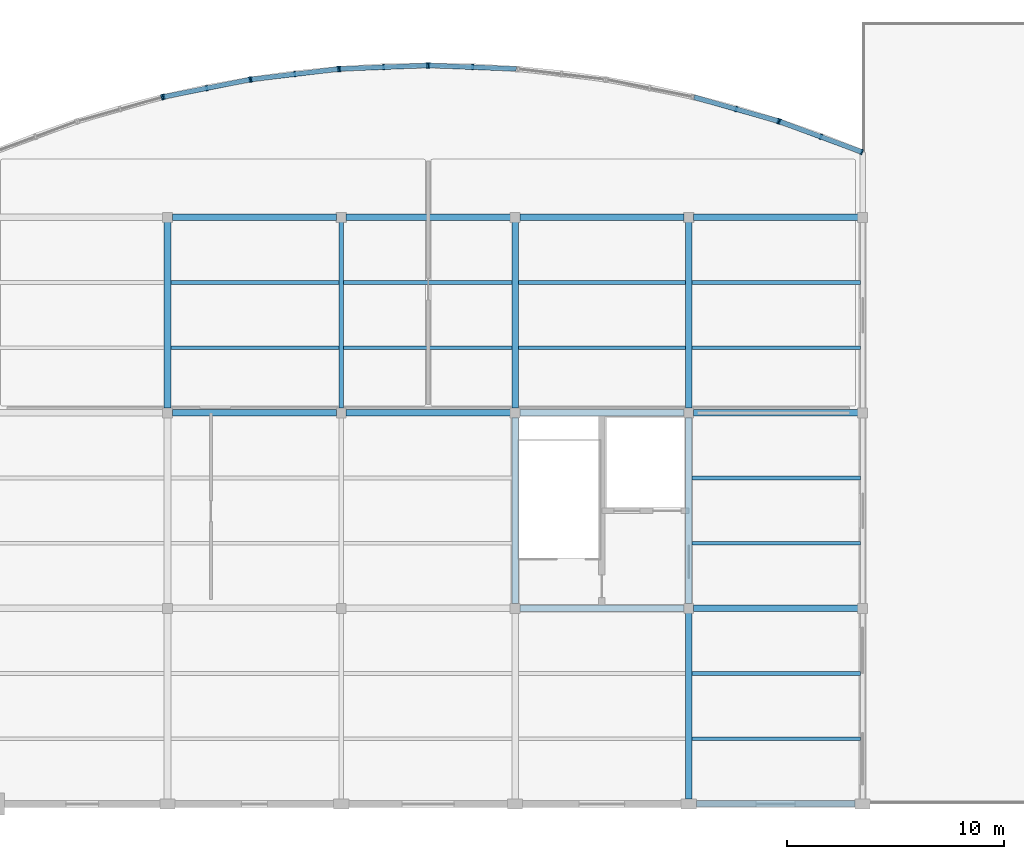
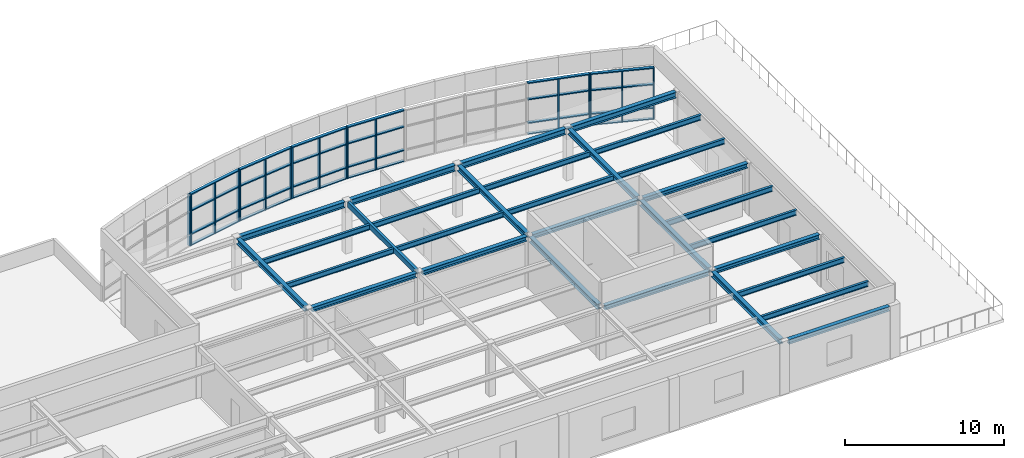
# One storey, part 3 of 9: 41 members, 30 beams, 7 elements without a shape of their own.
"""IFC4 building model written with IfcOpenShell, lengths in metres."""

import ifcopenshell
import ifcopenshell.guid

model = None  # the IFC model being written
_history = None  # IfcOwnerHistory: only IFC2X3 demands one
_inside = {}  # id of a spatial element -> (the spatial element, [elements in it])
_under = {}  # id of a project, library or spatial element -> (it, [spatial elements below it])
_declared = {}  # id of a project -> (the project, [libraries it declares])
_typed = {}  # id of a type object -> (the type object, [elements of that type])
_made_of = {}  # id of a material, layer set ... -> (it, [elements and type objects made of it])


def new_model(schema):
    """Start an empty IFC model of exactly this schema.

    Asked for "IFC4X3", IfcOpenShell would pick the latest addendum, in which some entities
    have other attributes; the version numbers below select the first issue.
    IFC2X3 requires an IfcOwnerHistory on every rooted entity: one is made here for all.
    """
    global model, _history
    if schema == "IFC4X3":
        model = ifcopenshell.file(schema_version=(4, 3, 0, 0))
    else:
        model = ifcopenshell.file(schema=schema)
    _inside.clear()
    _under.clear()
    _declared.clear()
    _typed.clear()
    _made_of.clear()
    _history = None
    if model.schema == "IFC2X3":
        org = make("IfcOrganization", Name="unknown")
        user = make(
            "IfcPersonAndOrganization",
            ThePerson=make("IfcPerson", FamilyName="unknown"),
            TheOrganization=org,
        )
        app = make(
            "IfcApplication",
            ApplicationDeveloper=org,
            Version="unknown",
            ApplicationFullName="unknown",
            ApplicationIdentifier="unknown",
        )
        _history = make(
            "IfcOwnerHistory",
            OwningUser=user,
            OwningApplication=app,
            ChangeAction="ADDED",
            CreationDate=0,
        )
    return model


def make(cls, **values):
    """One entity of the class cls with the attributes given. An attribute that is None is left unset."""
    return model.create_entity(
        cls, **{name: value for name, value in values.items() if value is not None}
    )


def rooted(cls, **values):
    """An entity with a GlobalId (a new one), such as an element, a storey or a relation."""
    return make(cls, GlobalId=ifcopenshell.guid.new(), OwnerHistory=_history, **values)


def si_unit(unit_type, name, prefix=None):
    """IfcSIUnit, for example si_unit("LENGTHUNIT", "METRE", prefix="MILLI")."""
    return make("IfcSIUnit", UnitType=unit_type, Prefix=prefix, Name=name)


def assignment(units):
    """IfcUnitAssignment: the units of a project."""
    return None if units is None else make("IfcUnitAssignment", Units=units)


def point(xyz):
    """IfcCartesianPoint."""
    return None if xyz is None else make("IfcCartesianPoint", Coordinates=xyz)


def direction(xyz):
    """IfcDirection."""
    return None if xyz is None else make("IfcDirection", DirectionRatios=xyz)


def frame(location, z_axis=None, x_axis=None):
    """IfcAxis2Placement3D, a coordinate frame: its origin and axes. An axis left out is left unset."""
    return make(
        "IfcAxis2Placement3D",
        Location=point(location),
        Axis=direction(z_axis),
        RefDirection=direction(x_axis),
    )


def frame_2d(location, x_axis=None):
    """IfcAxis2Placement2D, a coordinate frame in the plane: its origin and x axis."""
    return make(
        "IfcAxis2Placement2D", Location=point(location), RefDirection=direction(x_axis)
    )


def origin():
    """The frame at (0, 0, 0) with its axes left unset."""
    return frame((0.0, 0.0, 0.0))


def origin_2d():
    """The frame at (0, 0) in the plane with its x axis left unset."""
    return frame_2d((0.0, 0.0))


def place(relative_to, where):
    """IfcLocalPlacement: puts the frame where relative to a parent placement (None: the world)."""
    return make(
        "IfcLocalPlacement", PlacementRelTo=relative_to, RelativePlacement=where
    )


def context(
    kind, dimensions, precision=None, world=None, true_north=None, identifier=None
):
    """IfcGeometricRepresentationContext, for example the 3D "Model" context."""
    return make(
        "IfcGeometricRepresentationContext",
        ContextIdentifier=identifier,
        ContextType=kind,
        CoordinateSpaceDimension=dimensions,
        Precision=precision,
        WorldCoordinateSystem=world,
        TrueNorth=true_north,
    )


def subcontext(parent, identifier, kind, view, scale=None):
    """IfcGeometricRepresentationSubContext, for example "Body" below "Model"."""
    return make(
        "IfcGeometricRepresentationSubContext",
        ContextIdentifier=identifier,
        ContextType=kind,
        ParentContext=parent,
        TargetScale=scale,
        TargetView=view,
    )


def project(units=None, contexts=None):
    """IfcProject with its units and contexts."""
    return rooted(
        "IfcProject",
        Name="project",
        RepresentationContexts=contexts,
        UnitsInContext=assignment(units),
    )


def spatial(cls, under=None, at=None, **own):
    """A site, building, storey or space (cls), placed at a placement, below another one or the project."""
    s = rooted(cls, ObjectPlacement=at, **own)
    if under is not None:
        _under.setdefault(under.id(), (under, []))[1].append(s)
    return s


def profile(cls, at=None, kind="AREA", **sizes):
    """A parametric profile (cls). Its sizes go by their IFC names, for example OverallWidth=200.0."""
    return make(cls, ProfileType=kind, Position=at, **sizes)


def rectangle(**sizes):
    """IfcRectangleProfileDef."""
    return profile("IfcRectangleProfileDef", **sizes)


def hollow_rectangle(**sizes):
    """IfcRectangleHollowProfileDef."""
    return profile("IfcRectangleHollowProfileDef", **sizes)


def i_section(**sizes):
    """IfcIShapeProfileDef."""
    return profile("IfcIShapeProfileDef", **sizes)


def extrude(swept, where, along, depth):
    """IfcExtrudedAreaSolid: the profile swept, set in the frame where, extruded along a direction by depth."""
    return make(
        "IfcExtrudedAreaSolid",
        SweptArea=swept,
        Position=where,
        ExtrudedDirection=direction(along),
        Depth=depth,
    )


def shape(context_of_items, identifier, shape_type, items):
    """IfcShapeRepresentation: the items that make up one representation, for example the "Body"."""
    return make(
        "IfcShapeRepresentation",
        ContextOfItems=context_of_items,
        RepresentationIdentifier=identifier,
        RepresentationType=shape_type,
        Items=items,
    )


def material(Name=None, Category=None):
    """IfcMaterial."""
    return make("IfcMaterial", Name=Name, Category=Category)


def layer(
    of_material, thickness, ventilated=None, Name=None, Category=None, Priority=None
):
    """IfcMaterialLayer: one layer of a wall or slab, of a material (None: an air gap)."""
    return make(
        "IfcMaterialLayer",
        Material=of_material,
        LayerThickness=thickness,
        IsVentilated=ventilated,
        Name=Name,
        Category=Category,
        Priority=Priority,
    )


def layer_set(layers, Name=None):
    """IfcMaterialLayerSet."""
    return make("IfcMaterialLayerSet", MaterialLayers=layers, LayerSetName=Name)


def material_profile(
    of_material, cross_section, Name=None, Category=None, Priority=None
):
    """IfcMaterialProfile: a cross section and its material."""
    return make(
        "IfcMaterialProfile",
        Name=Name,
        Material=of_material,
        Profile=cross_section,
        Priority=Priority,
        Category=Category,
    )


def profile_set(profiles, Name=None, composite=None):
    """IfcMaterialProfileSet."""
    return make(
        "IfcMaterialProfileSet",
        Name=Name,
        MaterialProfiles=profiles,
        CompositeProfile=composite,
    )


def made_of(thing, what):
    """Note that an element or type object is made of a material, layer set ...; save() writes the relation."""
    if what is not None:
        _made_of.setdefault(what.id(), (what, []))[1].append(thing)
    return thing


def type_object(cls, material=None, **own):
    """A type object (cls), such as IfcWallType, which elements share."""
    return made_of(rooted(cls, **own), material)


def element(
    cls,
    number,
    at=None,
    inside=None,
    cuts=None,
    type_object=None,
    material=None,
    context=None,
    identifier="Body",
    shape_type=None,
    held_by="IfcProductDefinitionShape",
    body=None,
    shapes=None,
    **own,
):
    """One element of the class cls, such as IfcWall. Its Tag is "e" and its number.

    at: its placement. inside: the storey or other place that contains it. cuts: it is an
    opening in that element (IfcRelVoidsElement). A single representation is given by context,
    identifier, shape_type and body (its items); several are given by shapes. held_by: the class
    of the entity that holds the representations. save() writes the other relations.
    """
    e = rooted(cls, Tag="e%d" % number, ObjectPlacement=at, **own)
    if body is not None:
        shapes = [shape(context, identifier, shape_type, body)]
    if shapes is not None:
        e.Representation = make(held_by, Representations=shapes)
    if inside is not None:
        _inside.setdefault(inside.id(), (inside, []))[1].append(e)
    if cuts is not None:
        rooted(
            "IfcRelVoidsElement", RelatingBuildingElement=cuts, RelatedOpeningElement=e
        )
    if type_object is not None:
        _typed.setdefault(type_object.id(), (type_object, []))[1].append(e)
    return made_of(e, material)


def aggregate(whole, parts):
    """IfcRelAggregates: a whole, such as a stair, and the parts it consists of."""
    return rooted("IfcRelAggregates", RelatingObject=whole, RelatedObjects=parts)


def save(model, path):
    """Write the relations noted so far, then the file.

    IfcRelAggregates (storeys below a building ...), IfcRelContainedInSpatialStructure (elements
    in a storey), IfcRelDefinesByType, IfcRelAssociatesMaterial and IfcRelDeclares: one each for
    every whole, place, type object, material and project.
    """
    for whole, parts in _under.values():
        aggregate(whole, parts)
    for where, things in _inside.values():
        rooted(
            "IfcRelContainedInSpatialStructure",
            RelatedElements=things,
            RelatingStructure=where,
        )
    for kind, things in _typed.values():
        rooted("IfcRelDefinesByType", RelatedObjects=things, RelatingType=kind)
    for what, things in _made_of.values():
        rooted("IfcRelAssociatesMaterial", RelatedObjects=things, RelatingMaterial=what)
    for by, libraries in _declared.values():
        rooted("IfcRelDeclares", RelatingContext=by, RelatedDefinitions=libraries)
    model.write(path)


model = new_model("IFC4")

# Units and contexts
model_context = context("Model", 3, precision=1e-05, world=origin(), true_north=direction((0.0, 1.0)))
body_context = subcontext(model_context, "Body", "Model", "MODEL_VIEW")
ifc_project = project(units=[si_unit("LENGTHUNIT", "METRE"), si_unit("AREAUNIT", "SQUARE_METRE"), si_unit("VOLUMEUNIT", "CUBIC_METRE"), si_unit("PLANEANGLEUNIT", "RADIAN"), si_unit("MASSUNIT", "GRAM", prefix="KILO")], contexts=[model_context])

# Site, building, storey
site_placement = place(None, origin())
site = spatial("IfcSite", under=ifc_project, at=site_placement, CompositionType="ELEMENT")
building_placement = place(site_placement, origin())
building = spatial("IfcBuilding", under=site, at=building_placement, Name="Keelwater Ferry Terminal", CompositionType="ELEMENT")
storey_placement = place(building_placement, frame((0.0, 0.0, 23.699951171875)))
storey = spatial("IfcBuildingStorey", under=building, at=storey_placement, Name="L05", CompositionType="ELEMENT", Elevation=23.699951171875)

# Curtain wall, members
ifc_material_1 = material(Name="Thermally broken unitised aluminium and triple glass", Category="aluminium")
ifc_layer = layer(ifc_material_1, 0.179931640625)
ifc_layer_set = layer_set([ifc_layer], Name="Thermally broken unitised aluminium and triple glass")
curtain_wall_type = type_object("IfcCurtainWallType", Name="CW-24 Unitised Curtain Wall 4015x3900", PredefinedType="USERDEFINED", material=ifc_layer_set)
curtain_wall_1_placement = place(storey_placement, origin())
curtain_wall_1 = element("IfcCurtainWall", 1, at=curtain_wall_1_placement, inside=storey, type_object=curtain_wall_type, Name="Unitised Curtain Wall CW-L05-223", ObjectType="UNITISED CURTAIN WALL", PredefinedType="USERDEFINED")
ifc_material_2 = material(Name="Aluminium mullion", Category="aluminium")
ifc_material_profile_1 = material_profile(ifc_material_2, rectangle(XDim=0.080078125, YDim=0.25, at=origin_2d()), Name="CWM-04")
ifc_profile_set_1 = profile_set([ifc_material_profile_1], Name="Aluminium mullion")
member_type_1 = type_object("IfcMemberType", Name="CWM-04 Curtain Mullion 80x250", PredefinedType="MULLION", material=ifc_profile_set_1)
member_1_placement = place(storey_placement, frame((171.9580078125, 120.01611328125, 0.0), z_axis=(0.0, 0.0, 1.0), x_axis=(-0.937592418253, 0.347736189136, 0.0)))
member_1 = element("IfcMember", 2, at=member_1_placement, type_object=member_type_1, Name="CW-L05-223 Mullion 1", PredefinedType="MULLION", context=body_context, shape_type="SweptSolid", body=[
    extrude(rectangle(XDim=0.080078125, YDim=0.25, at=origin_2d()), origin(), (0.0, 0.0, 1.0), 3.900146484375),
])
member_2_placement = place(storey_placement, frame((170.075927734375, 120.714111328125, 0.0), z_axis=(0.0, 0.0, 1.0), x_axis=(-0.937592418253, 0.347736189136, 0.0)))
member_2 = element("IfcMember", 3, at=member_2_placement, type_object=member_type_1, Name="CW-L05-223 Mullion 2", PredefinedType="MULLION", context=body_context, shape_type="SweptSolid", body=[
    extrude(rectangle(XDim=0.080078125, YDim=0.25, at=origin_2d()), origin(), (0.0, 0.0, 1.0), 3.900146484375),
])
member_3_placement = place(storey_placement, frame((168.194091796875, 121.412109375, 0.0), z_axis=(0.0, 0.0, 1.0), x_axis=(-0.937592418253, 0.347736189136, 0.0)))
member_3 = element("IfcMember", 4, at=member_3_placement, type_object=member_type_1, Name="CW-L05-223 Mullion 3", PredefinedType="MULLION", context=body_context, shape_type="SweptSolid", body=[
    extrude(rectangle(XDim=0.080078125, YDim=0.25, at=origin_2d()), origin(), (0.0, 0.0, 1.0), 3.900146484375),
])

curtain_wall_2_placement = place(storey_placement, origin())
curtain_wall_2 = element("IfcCurtainWall", 5, at=curtain_wall_2_placement, inside=storey, type_object=curtain_wall_type, Name="Unitised Curtain Wall CW-L05-224", ObjectType="UNITISED CURTAIN WALL", PredefinedType="USERDEFINED")
member_4_placement = place(storey_placement, frame((168.10888671875, 121.43994140625, 0.0), z_axis=(0.0, 0.0, 1.0), x_axis=(-0.962029778706, 0.272944508797, 0.0)))
member_4 = element("IfcMember", 6, at=member_4_placement, type_object=member_type_1, Name="CW-L05-224 Mullion 1", PredefinedType="MULLION", context=body_context, shape_type="SweptSolid", body=[
    extrude(rectangle(XDim=0.080078125, YDim=0.25, at=origin_2d()), origin(), (0.0, 0.0, 1.0), 3.900146484375),
])
member_5_placement = place(storey_placement, frame((166.177490234375, 121.988037109375, 0.0), z_axis=(0.0, 0.0, 1.0), x_axis=(-0.962029778706, 0.272944508797, 0.0)))
member_5 = element("IfcMember", 7, at=member_5_placement, type_object=member_type_1, Name="CW-L05-224 Mullion 2", PredefinedType="MULLION", context=body_context, shape_type="SweptSolid", body=[
    extrude(rectangle(XDim=0.080078125, YDim=0.25, at=origin_2d()), origin(), (0.0, 0.0, 1.0), 3.900146484375),
])

curtain_wall_3_placement = place(storey_placement, origin())
curtain_wall_3 = element("IfcCurtainWall", 8, at=curtain_wall_3_placement, inside=storey, type_object=curtain_wall_type, Name="Unitised Curtain Wall CW-L05-227", ObjectType="UNITISED CURTAIN WALL", PredefinedType="USERDEFINED")
member_6_placement = place(storey_placement, frame((154.051025390625, 123.9189453125, 0.0), z_axis=(0.0, 0.0, 1.0), x_axis=(-0.999225435626, 0.039351350652, 0.0)))
member_6 = element("IfcMember", 9, at=member_6_placement, type_object=member_type_1, Name="CW-L05-227 Mullion 2", PredefinedType="MULLION", context=body_context, shape_type="SweptSolid", body=[
    extrude(rectangle(XDim=0.080078125, YDim=0.25, at=origin_2d()), origin(), (0.0, 0.0, 1.0), 3.900146484375),
])
member_7_placement = place(storey_placement, frame((152.044921875, 123.998046875, 0.0), z_axis=(0.0, 0.0, 1.0), x_axis=(-0.999225435626, 0.039351350652, 0.0)))
member_7 = element("IfcMember", 10, at=member_7_placement, type_object=member_type_1, Name="CW-L05-227 Mullion 3", PredefinedType="MULLION", context=body_context, shape_type="SweptSolid", body=[
    extrude(rectangle(XDim=0.080078125, YDim=0.25, at=origin_2d()), origin(), (0.0, 0.0, 1.0), 3.900146484375),
])

curtain_wall_4_placement = place(storey_placement, origin())
curtain_wall_4 = element("IfcCurtainWall", 11, at=curtain_wall_4_placement, inside=storey, type_object=curtain_wall_type, Name="Unitised Curtain Wall CW-L05-228", ObjectType="UNITISED CURTAIN WALL", PredefinedType="USERDEFINED")
member_8_placement = place(storey_placement, frame((151.955078125, 123.998046875, 0.0), z_axis=(0.0, 0.0, 1.0), x_axis=(-0.999225435626, -0.039351350652, 0.0)))
member_8 = element("IfcMember", 12, at=member_8_placement, type_object=member_type_1, Name="CW-L05-228 Mullion 1", PredefinedType="MULLION", context=body_context, shape_type="SweptSolid", body=[
    extrude(rectangle(XDim=0.080078125, YDim=0.25, at=origin_2d()), origin(), (0.0, 0.0, 1.0), 3.900146484375),
])
member_9_placement = place(storey_placement, frame((149.948974609375, 123.9189453125, 0.0), z_axis=(0.0, 0.0, 1.0), x_axis=(-0.999225435626, -0.039351350652, 0.0)))
member_9 = element("IfcMember", 13, at=member_9_placement, type_object=member_type_1, Name="CW-L05-228 Mullion 2", PredefinedType="MULLION", context=body_context, shape_type="SweptSolid", body=[
    extrude(rectangle(XDim=0.080078125, YDim=0.25, at=origin_2d()), origin(), (0.0, 0.0, 1.0), 3.900146484375),
])
member_10_placement = place(storey_placement, frame((147.943115234375, 123.840087890625, 0.0), z_axis=(0.0, 0.0, 1.0), x_axis=(-0.999225435626, -0.039351350652, 0.0)))
member_10 = element("IfcMember", 14, at=member_10_placement, type_object=member_type_1, Name="CW-L05-228 Mullion 3", PredefinedType="MULLION", context=body_context, shape_type="SweptSolid", body=[
    extrude(rectangle(XDim=0.080078125, YDim=0.25, at=origin_2d()), origin(), (0.0, 0.0, 1.0), 3.900146484375),
])

curtain_wall_5_placement = place(storey_placement, origin())
curtain_wall_5 = element("IfcCurtainWall", 15, at=curtain_wall_5_placement, inside=storey, type_object=curtain_wall_type, Name="Unitised Curtain Wall CW-L05-229", ObjectType="UNITISED CURTAIN WALL", PredefinedType="USERDEFINED")
member_11_placement = place(storey_placement, frame((147.85302734375, 123.8330078125, 0.0), z_axis=(0.0, 0.0, 1.0), x_axis=(-0.992974342459, -0.118329857676, 0.0)))
member_11 = element("IfcMember", 16, at=member_11_placement, type_object=member_type_1, Name="CW-L05-229 Mullion 1", PredefinedType="MULLION", context=body_context, shape_type="SweptSolid", body=[
    extrude(rectangle(XDim=0.080078125, YDim=0.25, at=origin_2d()), origin(), (0.0, 0.0, 1.0), 3.900146484375),
])
member_12_placement = place(storey_placement, frame((145.860107421875, 123.595458984375, 0.0), z_axis=(0.0, 0.0, 1.0), x_axis=(-0.992974342459, -0.118329857676, 0.0)))
member_12 = element("IfcMember", 17, at=member_12_placement, type_object=member_type_1, Name="CW-L05-229 Mullion 2", PredefinedType="MULLION", context=body_context, shape_type="SweptSolid", body=[
    extrude(rectangle(XDim=0.080078125, YDim=0.25, at=origin_2d()), origin(), (0.0, 0.0, 1.0), 3.900146484375),
])
member_13_placement = place(storey_placement, frame((143.866943359375, 123.35791015625, 0.0), z_axis=(0.0, 0.0, 1.0), x_axis=(-0.992974342459, -0.118329857676, 0.0)))
member_13 = element("IfcMember", 18, at=member_13_placement, type_object=member_type_1, Name="CW-L05-229 Mullion 3", PredefinedType="MULLION", context=body_context, shape_type="SweptSolid", body=[
    extrude(rectangle(XDim=0.080078125, YDim=0.25, at=origin_2d()), origin(), (0.0, 0.0, 1.0), 3.900146484375),
])

curtain_wall_6_placement = place(storey_placement, origin())
curtain_wall_6 = element("IfcCurtainWall", 19, at=curtain_wall_6_placement, inside=storey, type_object=curtain_wall_type, Name="Unitised Curtain Wall CW-L05-230", ObjectType="UNITISED CURTAIN WALL", PredefinedType="USERDEFINED")
member_14_placement = place(storey_placement, frame((143.778076171875, 123.343994140625, 0.0), z_axis=(0.0, 0.0, 1.0), x_axis=(-0.98059983046, -0.196020336958, 0.0)))
member_14 = element("IfcMember", 20, at=member_14_placement, type_object=member_type_1, Name="CW-L05-230 Mullion 1", PredefinedType="MULLION", context=body_context, shape_type="SweptSolid", body=[
    extrude(rectangle(XDim=0.080078125, YDim=0.25, at=origin_2d()), origin(), (0.0, 0.0, 1.0), 3.900146484375),
])
member_15_placement = place(storey_placement, frame((141.8095703125, 122.950439453125, 0.0), z_axis=(0.0, 0.0, 1.0), x_axis=(-0.98059983046, -0.196020336958, 0.0)))
member_15 = element("IfcMember", 21, at=member_15_placement, type_object=member_type_1, Name="CW-L05-230 Mullion 2", PredefinedType="MULLION", context=body_context, shape_type="SweptSolid", body=[
    extrude(rectangle(XDim=0.080078125, YDim=0.25, at=origin_2d()), origin(), (0.0, 0.0, 1.0), 3.900146484375),
])
member_16_placement = place(storey_placement, frame((139.841064453125, 122.556884765625, 0.0), z_axis=(0.0, 0.0, 1.0), x_axis=(-0.98059983046, -0.196020336958, 0.0)))
member_16 = element("IfcMember", 22, at=member_16_placement, type_object=member_type_1, Name="CW-L05-230 Mullion 3", PredefinedType="MULLION", context=body_context, shape_type="SweptSolid", body=[
    extrude(rectangle(XDim=0.080078125, YDim=0.25, at=origin_2d()), origin(), (0.0, 0.0, 1.0), 3.900146484375),
])

# Curtain wall, member
curtain_wall_7_placement = place(storey_placement, origin())
curtain_wall_7 = element("IfcCurtainWall", 23, at=curtain_wall_7_placement, inside=storey, type_object=curtain_wall_type, Name="Unitised Curtain Wall CW-L05-231", ObjectType="UNITISED CURTAIN WALL", PredefinedType="USERDEFINED")
member_17_placement = place(storey_placement, frame((139.75390625, 122.535888671875, 0.0), z_axis=(0.0, 0.0, 1.0), x_axis=(-0.962029778706, -0.272944508797, 0.0)))
member_17 = element("IfcMember", 24, at=member_17_placement, type_object=member_type_1, Name="CW-L05-231 Mullion 1", PredefinedType="MULLION", context=body_context, shape_type="SweptSolid", body=[
    extrude(rectangle(XDim=0.080078125, YDim=0.25, at=origin_2d()), origin(), (0.0, 0.0, 1.0), 3.900146484375),
])
aggregate(curtain_wall_7, [member_17])

# Member
ifc_material_3 = material(Name="Aluminium mullion", Category="aluminium")
ifc_material_profile_2 = material_profile(ifc_material_3, rectangle(XDim=0.219970703125, YDim=0.080078125, at=origin_2d()), Name="CWT-04")
ifc_profile_set_2 = profile_set([ifc_material_profile_2], Name="Aluminium mullion")
member_type_2 = type_object("IfcMemberType", Name="CWT-04 Curtain Transom 80x220", PredefinedType="USERDEFINED", material=ifc_profile_set_2)
member_18_placement = place(storey_placement, frame((171.9580078125, 120.01611328125, 0.0), z_axis=(-0.937590205769, 0.347742154543, 0.0), x_axis=(-0.347742154543, -0.937590205769, 0.0)))
member_18 = element("IfcMember", 25, at=member_18_placement, type_object=member_type_2, Name="CW-L05-223 Transom 1", ObjectType="TRANSOM", PredefinedType="USERDEFINED", context=body_context, shape_type="SweptSolid", body=[
    extrude(rectangle(XDim=0.219970703125, YDim=0.080078125, at=origin_2d()), origin(), (0.0, 0.0, 1.0), 4.014404296875),
])

member_19_placement = place(storey_placement, frame((171.9580078125, 120.01611328125, 0.85009765625), z_axis=(-0.937590205769, 0.347742154543, 0.0), x_axis=(-0.347742154543, -0.937590205769, 0.0)))
member_19 = element("IfcMember", 26, at=member_19_placement, type_object=member_type_2, Name="CW-L05-223 Transom 2", ObjectType="TRANSOM", PredefinedType="USERDEFINED", context=body_context, shape_type="SweptSolid", body=[
    extrude(rectangle(XDim=0.219970703125, YDim=0.080078125, at=origin_2d()), origin(), (0.0, 0.0, 1.0), 4.014404296875),
])

member_20_placement = place(storey_placement, frame((171.9580078125, 120.01611328125, 2.650146484375), z_axis=(-0.937590205769, 0.347742154543, 0.0), x_axis=(-0.347742154543, -0.937590205769, 0.0)))
member_20 = element("IfcMember", 27, at=member_20_placement, type_object=member_type_2, Name="CW-L05-223 Transom 3", ObjectType="TRANSOM", PredefinedType="USERDEFINED", context=body_context, shape_type="SweptSolid", body=[
    extrude(rectangle(XDim=0.219970703125, YDim=0.080078125, at=origin_2d()), origin(), (0.0, 0.0, 1.0), 4.014404296875),
])

member_21_placement = place(storey_placement, frame((171.9580078125, 120.01611328125, 3.900146484375), z_axis=(-0.937590205769, 0.347742154543, 0.0), x_axis=(-0.347742154543, -0.937590205769, 0.0)))
member_21 = element("IfcMember", 28, at=member_21_placement, type_object=member_type_2, Name="CW-L05-223 Transom 4", ObjectType="TRANSOM", PredefinedType="USERDEFINED", context=body_context, shape_type="SweptSolid", body=[
    extrude(rectangle(XDim=0.219970703125, YDim=0.080078125, at=origin_2d()), origin(), (0.0, 0.0, 1.0), 4.014404296875),
])

aggregate(curtain_wall_1, [member_1, member_2, member_3, member_18, member_19, member_20, member_21])

member_22_placement = place(storey_placement, frame((168.10888671875, 121.43994140625, 0.0), z_axis=(-0.962029386072, 0.272945892686, 0.0), x_axis=(-0.272945892686, -0.962029386072, 0.0)))
member_22 = element("IfcMember", 29, at=member_22_placement, type_object=member_type_2, Name="CW-L05-224 Transom 1", ObjectType="TRANSOM", PredefinedType="USERDEFINED", context=body_context, shape_type="SweptSolid", body=[
    extrude(rectangle(XDim=0.219970703125, YDim=0.080078125, at=origin_2d()), origin(), (0.0, 0.0, 1.0), 4.01513671875),
])

member_23_placement = place(storey_placement, frame((168.10888671875, 121.43994140625, 0.85009765625), z_axis=(-0.962029386072, 0.272945892686, 0.0), x_axis=(-0.272945892686, -0.962029386072, 0.0)))
member_23 = element("IfcMember", 30, at=member_23_placement, type_object=member_type_2, Name="CW-L05-224 Transom 2", ObjectType="TRANSOM", PredefinedType="USERDEFINED", context=body_context, shape_type="SweptSolid", body=[
    extrude(rectangle(XDim=0.219970703125, YDim=0.080078125, at=origin_2d()), origin(), (0.0, 0.0, 1.0), 4.01513671875),
])

member_24_placement = place(storey_placement, frame((168.10888671875, 121.43994140625, 2.650146484375), z_axis=(-0.962029386072, 0.272945892686, 0.0), x_axis=(-0.272945892686, -0.962029386072, 0.0)))
member_24 = element("IfcMember", 31, at=member_24_placement, type_object=member_type_2, Name="CW-L05-224 Transom 3", ObjectType="TRANSOM", PredefinedType="USERDEFINED", context=body_context, shape_type="SweptSolid", body=[
    extrude(rectangle(XDim=0.219970703125, YDim=0.080078125, at=origin_2d()), origin(), (0.0, 0.0, 1.0), 4.01513671875),
])

member_25_placement = place(storey_placement, frame((168.10888671875, 121.43994140625, 3.900146484375), z_axis=(-0.962029386072, 0.272945892686, 0.0), x_axis=(-0.272945892686, -0.962029386072, 0.0)))
member_25 = element("IfcMember", 32, at=member_25_placement, type_object=member_type_2, Name="CW-L05-224 Transom 4", ObjectType="TRANSOM", PredefinedType="USERDEFINED", context=body_context, shape_type="SweptSolid", body=[
    extrude(rectangle(XDim=0.219970703125, YDim=0.080078125, at=origin_2d()), origin(), (0.0, 0.0, 1.0), 4.01513671875),
])

aggregate(curtain_wall_2, [member_4, member_5, member_22, member_23, member_24, member_25])

member_26_placement = place(storey_placement, frame((156.056884765625, 123.840087890625, 0.0), z_axis=(-0.999225822944, 0.03934151448, 0.0), x_axis=(-0.03934151448, -0.999225822944, 0.0)))
member_26 = element("IfcMember", 33, at=member_26_placement, type_object=member_type_2, Name="CW-L05-227 Transom 1", ObjectType="TRANSOM", PredefinedType="USERDEFINED", context=body_context, shape_type="SweptSolid", body=[
    extrude(rectangle(XDim=0.219970703125, YDim=0.080078125, at=origin_2d()), origin(), (0.0, 0.0, 1.0), 4.01513671875),
])

member_27_placement = place(storey_placement, frame((156.056884765625, 123.840087890625, 0.85009765625), z_axis=(-0.999225822944, 0.03934151448, 0.0), x_axis=(-0.03934151448, -0.999225822944, 0.0)))
member_27 = element("IfcMember", 34, at=member_27_placement, type_object=member_type_2, Name="CW-L05-227 Transom 2", ObjectType="TRANSOM", PredefinedType="USERDEFINED", context=body_context, shape_type="SweptSolid", body=[
    extrude(rectangle(XDim=0.219970703125, YDim=0.080078125, at=origin_2d()), origin(), (0.0, 0.0, 1.0), 4.01513671875),
])

member_28_placement = place(storey_placement, frame((156.056884765625, 123.840087890625, 2.650146484375), z_axis=(-0.999225822944, 0.03934151448, 0.0), x_axis=(-0.03934151448, -0.999225822944, 0.0)))
member_28 = element("IfcMember", 35, at=member_28_placement, type_object=member_type_2, Name="CW-L05-227 Transom 3", ObjectType="TRANSOM", PredefinedType="USERDEFINED", context=body_context, shape_type="SweptSolid", body=[
    extrude(rectangle(XDim=0.219970703125, YDim=0.080078125, at=origin_2d()), origin(), (0.0, 0.0, 1.0), 4.01513671875),
])

member_29_placement = place(storey_placement, frame((156.056884765625, 123.840087890625, 3.900146484375), z_axis=(-0.999225822944, 0.03934151448, 0.0), x_axis=(-0.03934151448, -0.999225822944, 0.0)))
member_29 = element("IfcMember", 36, at=member_29_placement, type_object=member_type_2, Name="CW-L05-227 Transom 4", ObjectType="TRANSOM", PredefinedType="USERDEFINED", context=body_context, shape_type="SweptSolid", body=[
    extrude(rectangle(XDim=0.219970703125, YDim=0.080078125, at=origin_2d()), origin(), (0.0, 0.0, 1.0), 4.01513671875),
])

aggregate(curtain_wall_3, [member_6, member_7, member_26, member_27, member_28, member_29])

member_30_placement = place(storey_placement, frame((151.955078125, 123.998046875, 0.0), z_axis=(-0.999225822944, -0.03934151448, 0.0), x_axis=(0.03934151448, -0.999225822944, 0.0)))
member_30 = element("IfcMember", 37, at=member_30_placement, type_object=member_type_2, Name="CW-L05-228 Transom 1", ObjectType="TRANSOM", PredefinedType="USERDEFINED", context=body_context, shape_type="SweptSolid", body=[
    extrude(rectangle(XDim=0.219970703125, YDim=0.080078125, at=origin_2d()), origin(), (0.0, 0.0, 1.0), 4.01513671875),
])

member_31_placement = place(storey_placement, frame((151.955078125, 123.998046875, 0.85009765625), z_axis=(-0.999225822944, -0.03934151448, 0.0), x_axis=(0.03934151448, -0.999225822944, 0.0)))
member_31 = element("IfcMember", 38, at=member_31_placement, type_object=member_type_2, Name="CW-L05-228 Transom 2", ObjectType="TRANSOM", PredefinedType="USERDEFINED", context=body_context, shape_type="SweptSolid", body=[
    extrude(rectangle(XDim=0.219970703125, YDim=0.080078125, at=origin_2d()), origin(), (0.0, 0.0, 1.0), 4.01513671875),
])

member_32_placement = place(storey_placement, frame((151.955078125, 123.998046875, 2.650146484375), z_axis=(-0.999225822944, -0.03934151448, 0.0), x_axis=(0.03934151448, -0.999225822944, 0.0)))
member_32 = element("IfcMember", 39, at=member_32_placement, type_object=member_type_2, Name="CW-L05-228 Transom 3", ObjectType="TRANSOM", PredefinedType="USERDEFINED", context=body_context, shape_type="SweptSolid", body=[
    extrude(rectangle(XDim=0.219970703125, YDim=0.080078125, at=origin_2d()), origin(), (0.0, 0.0, 1.0), 4.01513671875),
])

member_33_placement = place(storey_placement, frame((151.955078125, 123.998046875, 3.900146484375), z_axis=(-0.999225822944, -0.03934151448, 0.0), x_axis=(0.03934151448, -0.999225822944, 0.0)))
member_33 = element("IfcMember", 40, at=member_33_placement, type_object=member_type_2, Name="CW-L05-228 Transom 4", ObjectType="TRANSOM", PredefinedType="USERDEFINED", context=body_context, shape_type="SweptSolid", body=[
    extrude(rectangle(XDim=0.219970703125, YDim=0.080078125, at=origin_2d()), origin(), (0.0, 0.0, 1.0), 4.01513671875),
])

aggregate(curtain_wall_4, [member_8, member_9, member_10, member_30, member_31, member_32, member_33])

member_34_placement = place(storey_placement, frame((147.85302734375, 123.8330078125, 0.0), z_axis=(-0.992971776767, -0.1183513859, 0.0), x_axis=(0.1183513859, -0.992971776767, 0.0)))
member_34 = element("IfcMember", 41, at=member_34_placement, type_object=member_type_2, Name="CW-L05-229 Transom 1", ObjectType="TRANSOM", PredefinedType="USERDEFINED", context=body_context, shape_type="SweptSolid", body=[
    extrude(rectangle(XDim=0.219970703125, YDim=0.080078125, at=origin_2d()), origin(), (0.0, 0.0, 1.0), 4.014404296875),
])

member_35_placement = place(storey_placement, frame((147.85302734375, 123.8330078125, 0.85009765625), z_axis=(-0.992971776767, -0.1183513859, 0.0), x_axis=(0.1183513859, -0.992971776767, 0.0)))
member_35 = element("IfcMember", 42, at=member_35_placement, type_object=member_type_2, Name="CW-L05-229 Transom 2", ObjectType="TRANSOM", PredefinedType="USERDEFINED", context=body_context, shape_type="SweptSolid", body=[
    extrude(rectangle(XDim=0.219970703125, YDim=0.080078125, at=origin_2d()), origin(), (0.0, 0.0, 1.0), 4.014404296875),
])

member_36_placement = place(storey_placement, frame((147.85302734375, 123.8330078125, 2.650146484375), z_axis=(-0.992971776767, -0.1183513859, 0.0), x_axis=(0.1183513859, -0.992971776767, 0.0)))
member_36 = element("IfcMember", 43, at=member_36_placement, type_object=member_type_2, Name="CW-L05-229 Transom 3", ObjectType="TRANSOM", PredefinedType="USERDEFINED", context=body_context, shape_type="SweptSolid", body=[
    extrude(rectangle(XDim=0.219970703125, YDim=0.080078125, at=origin_2d()), origin(), (0.0, 0.0, 1.0), 4.014404296875),
])

member_37_placement = place(storey_placement, frame((147.85302734375, 123.8330078125, 3.900146484375), z_axis=(-0.992971776767, -0.1183513859, 0.0), x_axis=(0.1183513859, -0.992971776767, 0.0)))
member_37 = element("IfcMember", 44, at=member_37_placement, type_object=member_type_2, Name="CW-L05-229 Transom 4", ObjectType="TRANSOM", PredefinedType="USERDEFINED", context=body_context, shape_type="SweptSolid", body=[
    extrude(rectangle(XDim=0.219970703125, YDim=0.080078125, at=origin_2d()), origin(), (0.0, 0.0, 1.0), 4.014404296875),
])

aggregate(curtain_wall_5, [member_11, member_12, member_13, member_34, member_35, member_36, member_37])

member_38_placement = place(storey_placement, frame((143.778076171875, 123.343994140625, 0.0), z_axis=(-0.980594705866, -0.196045971209, 0.0), x_axis=(0.196045971209, -0.980594705866, 0.0)))
member_38 = element("IfcMember", 45, at=member_38_placement, type_object=member_type_2, Name="CW-L05-230 Transom 1", ObjectType="TRANSOM", PredefinedType="USERDEFINED", context=body_context, shape_type="SweptSolid", body=[
    extrude(rectangle(XDim=0.219970703125, YDim=0.080078125, at=origin_2d()), origin(), (0.0, 0.0, 1.0), 4.014892578125),
])

member_39_placement = place(storey_placement, frame((143.778076171875, 123.343994140625, 0.85009765625), z_axis=(-0.980594705866, -0.196045971209, 0.0), x_axis=(0.196045971209, -0.980594705866, 0.0)))
member_39 = element("IfcMember", 46, at=member_39_placement, type_object=member_type_2, Name="CW-L05-230 Transom 2", ObjectType="TRANSOM", PredefinedType="USERDEFINED", context=body_context, shape_type="SweptSolid", body=[
    extrude(rectangle(XDim=0.219970703125, YDim=0.080078125, at=origin_2d()), origin(), (0.0, 0.0, 1.0), 4.014892578125),
])

member_40_placement = place(storey_placement, frame((143.778076171875, 123.343994140625, 2.650146484375), z_axis=(-0.980594705866, -0.196045971209, 0.0), x_axis=(0.196045971209, -0.980594705866, 0.0)))
member_40 = element("IfcMember", 47, at=member_40_placement, type_object=member_type_2, Name="CW-L05-230 Transom 3", ObjectType="TRANSOM", PredefinedType="USERDEFINED", context=body_context, shape_type="SweptSolid", body=[
    extrude(rectangle(XDim=0.219970703125, YDim=0.080078125, at=origin_2d()), origin(), (0.0, 0.0, 1.0), 4.014892578125),
])

member_41_placement = place(storey_placement, frame((143.778076171875, 123.343994140625, 3.900146484375), z_axis=(-0.980594705866, -0.196045971209, 0.0), x_axis=(0.196045971209, -0.980594705866, 0.0)))
member_41 = element("IfcMember", 48, at=member_41_placement, type_object=member_type_2, Name="CW-L05-230 Transom 4", ObjectType="TRANSOM", PredefinedType="USERDEFINED", context=body_context, shape_type="SweptSolid", body=[
    extrude(rectangle(XDim=0.219970703125, YDim=0.080078125, at=origin_2d()), origin(), (0.0, 0.0, 1.0), 4.014892578125),
])

aggregate(curtain_wall_6, [member_14, member_15, member_16, member_38, member_39, member_40, member_41])

# Beams
ifc_material_4 = material(Name="Steel S355", Category="steel")
ifc_material_profile_3 = material_profile(ifc_material_4, i_section(OverallWidth=0.300048828125, OverallDepth=0.449951171875, WebThickness=0.013916015625, FlangeThickness=0.02587890625, at=origin_2d()), Name="HEB 450")
ifc_profile_set_3 = profile_set([ifc_material_profile_3], Name="Steel S355")
beam_type_1 = type_object("IfcBeamType", Name="G6 HEB 450", PredefinedType="BEAM", material=ifc_profile_set_3)
for number, where, z_axis, x_axis, name in (
    (49, (140.219970703125, 117.0, 3.755126953125), (1.0, 0.0, 0.0), (0.0, 1.0, 0.0), "Beam BM-L05-1588"),
    (50, (148.219970703125, 117.0, 3.755126953125), (1.0, 0.0, 0.0), (0.0, 1.0, 0.0), "Beam BM-L05-1589"),
    (51, (156.219970703125, 117.0, 3.755126953125), (1.0, 0.0, 0.0), (0.0, 1.0, 0.0), "Beam BM-L05-1590"),
    (52, (164.219970703125, 117.0, 3.755126953125), (1.0, 0.0, 0.0), (0.0, 1.0, 0.0), "Beam BM-L05-1591"),
):
    element("IfcBeam", number, at=place(storey_placement, frame(where, z_axis=z_axis, x_axis=x_axis)), inside=storey, type_object=beam_type_1, Name=name, PredefinedType="BEAM", context=body_context, shape_type="SweptSolid", body=[
        extrude(i_section(OverallWidth=0.300048828125, OverallDepth=0.449951171875, WebThickness=0.013916015625, FlangeThickness=0.02587890625, at=origin_2d()), origin(), (0.0, 0.0, 1.0), 7.56005859375),
    ])
ifc_material_5 = material(Name="Steel S355", Category="steel")
ifc_material_profile_4 = material_profile(ifc_material_5, i_section(OverallWidth=0.300048828125, OverallDepth=0.39990234375, WebThickness=0.013427734375, FlangeThickness=0.02392578125, at=origin_2d()), Name="HEB 400")
ifc_profile_set_4 = profile_set([ifc_material_profile_4], Name="Steel S355")
beam_type_2 = type_object("IfcBeamType", Name="G7 HEB 400", PredefinedType="BEAM", material=ifc_profile_set_4)
for number, where, z_axis, x_axis, name in (
    (53, (140.0, 108.219970703125, 3.780029296875), (0.0, 1.0, 0.0), (-1.0, 0.0, 0.0), "Beam BM-L05-1601"),
    (54, (156.0, 99.219970703125, 3.780029296875), (0.0, 1.0, 0.0), (-1.0, 0.0, 0.0), "Beam BM-L05-1606"),
    (55, (156.0, 108.219970703125, 3.780029296875), (0.0, 1.0, 0.0), (-1.0, 0.0, 0.0), "Beam BM-L05-1607"),
    (56, (164.0, 90.219970703125, 3.780029296875), (0.0, 1.0, 0.0), (-1.0, 0.0, 0.0), "Beam BM-L05-1608"),
    (57, (164.0, 99.219970703125, 3.780029296875), (0.0, 1.0, 0.0), (-1.0, 0.0, 0.0), "Beam BM-L05-1609"),
    (58, (164.0, 108.219970703125, 3.780029296875), (0.0, 1.0, 0.0), (-1.0, 0.0, 0.0), "Beam BM-L05-1610"),
):
    element("IfcBeam", number, at=place(storey_placement, frame(where, z_axis=z_axis, x_axis=x_axis)), inside=storey, type_object=beam_type_2, Name=name, PredefinedType="BEAM", context=body_context, shape_type="SweptSolid", body=[
        extrude(i_section(OverallWidth=0.300048828125, OverallDepth=0.39990234375, WebThickness=0.013427734375, FlangeThickness=0.02392578125, at=origin_2d()), origin(), (0.0, 0.0, 1.0), 8.56005859375),
    ])
ifc_material_6 = material(Name="Steel S355", Category="steel")
ifc_material_profile_5 = material_profile(ifc_material_6, i_section(OverallWidth=0.179931640625, OverallDepth=0.39990234375, WebThickness=0.008544921875, FlangeThickness=0.013427734375, at=origin_2d()), Name="IPE 400")
ifc_profile_set_5 = profile_set([ifc_material_profile_5], Name="Steel S355")
beam_type_3 = type_object("IfcBeamType", Name="J5 IPE 400", PredefinedType="JOIST", material=ifc_profile_set_5)
for number, where, z_axis, x_axis, name in (
    (59, (140.14990234375, 111.0, 3.780029296875), (1.0, 0.0, 0.0), (0.0, 1.0, 0.0), "Beam BM-L05-1631"),
    (60, (140.14990234375, 114.0, 3.780029296875), (1.0, 0.0, 0.0), (0.0, 1.0, 0.0), "Beam BM-L05-1632"),
    (61, (148.10009765625, 111.0, 3.780029296875), (1.0, 0.0, 0.0), (0.0, 1.0, 0.0), "Beam BM-L05-1637"),
    (62, (148.10009765625, 114.0, 3.780029296875), (1.0, 0.0, 0.0), (0.0, 1.0, 0.0), "Beam BM-L05-1638"),
):
    element("IfcBeam", number, at=place(storey_placement, frame(where, z_axis=z_axis, x_axis=x_axis)), inside=storey, type_object=beam_type_3, Name=name, PredefinedType="JOIST", context=body_context, shape_type="SweptSolid", body=[
        extrude(i_section(OverallWidth=0.179931640625, OverallDepth=0.39990234375, WebThickness=0.008544921875, FlangeThickness=0.013427734375, at=origin_2d()), origin(), (0.0, 0.0, 1.0), 7.75),
    ])
for number, where, z_axis, x_axis, name in (
    (63, (156.14990234375, 111.0, 3.780029296875), (1.0, 0.0, 0.0), (0.0, 1.0, 0.0), "Beam BM-L05-1641"),
    (64, (156.14990234375, 114.0, 3.780029296875), (1.0, 0.0, 0.0), (0.0, 1.0, 0.0), "Beam BM-L05-1642"),
):
    element("IfcBeam", number, at=place(storey_placement, frame(where, z_axis=z_axis, x_axis=x_axis)), inside=storey, type_object=beam_type_3, Name=name, PredefinedType="JOIST", context=body_context, shape_type="SweptSolid", body=[
        extrude(i_section(OverallWidth=0.179931640625, OverallDepth=0.39990234375, WebThickness=0.008544921875, FlangeThickness=0.013427734375, at=origin_2d()), origin(), (0.0, 0.0, 1.0), 7.7001953125),
    ])
for number, where, z_axis, x_axis, name in (
    (65, (164.14990234375, 93.0, 3.780029296875), (1.0, 0.0, 0.0), (0.0, 1.0, 0.0), "Beam BM-L05-1643"),
    (66, (164.14990234375, 96.0, 3.780029296875), (1.0, 0.0, 0.0), (0.0, 1.0, 0.0), "Beam BM-L05-1644"),
    (67, (164.14990234375, 102.0, 3.780029296875), (1.0, 0.0, 0.0), (0.0, 1.0, 0.0), "Beam BM-L05-1645"),
    (68, (164.14990234375, 105.0, 3.780029296875), (1.0, 0.0, 0.0), (0.0, 1.0, 0.0), "Beam BM-L05-1646"),
    (69, (164.14990234375, 111.0, 3.780029296875), (1.0, 0.0, 0.0), (0.0, 1.0, 0.0), "Beam BM-L05-1647"),
    (70, (164.14990234375, 114.0, 3.780029296875), (1.0, 0.0, 0.0), (0.0, 1.0, 0.0), "Beam BM-L05-1648"),
):
    element("IfcBeam", number, at=place(storey_placement, frame(where, z_axis=z_axis, x_axis=x_axis)), inside=storey, type_object=beam_type_3, Name=name, PredefinedType="JOIST", context=body_context, shape_type="SweptSolid", body=[
        extrude(i_section(OverallWidth=0.179931640625, OverallDepth=0.39990234375, WebThickness=0.008544921875, FlangeThickness=0.013427734375, at=origin_2d()), origin(), (0.0, 0.0, 1.0), 7.75),
    ])
ifc_material_7 = material(Name="Steel S355", Category="steel")
ifc_material_profile_6 = material_profile(ifc_material_7, i_section(OverallWidth=0.300048828125, OverallDepth=0.35009765625, WebThickness=0.010009765625, FlangeThickness=0.017578125, at=origin_2d()), Name="HEA 360")
ifc_profile_set_6 = profile_set([ifc_material_profile_6], Name="Steel S355")
beam_type_4 = type_object("IfcBeamType", Name="SP1E HEA 360", PredefinedType="SPANDREL", material=ifc_profile_set_6)
beam_1_placement = place(storey_placement, frame((164.343017578125, 90.0, 3.804931640625), z_axis=(1.0, 0.0, 0.0), x_axis=(0.0, 1.0, 0.0)))
element("IfcBeam", 71, at=beam_1_placement, inside=storey, type_object=beam_type_4, Name="Beam BM-L05-1572", PredefinedType="SPANDREL", context=body_context, shape_type="SweptSolid", body=[
    extrude(i_section(OverallWidth=0.300048828125, OverallDepth=0.35009765625, WebThickness=0.010009765625, FlangeThickness=0.017578125, at=origin_2d()), origin(), (0.0, 0.0, 1.0), 7.31396484375),
])
for number, where, z_axis, x_axis, name in (
    (72, (156.219970703125, 99.0, 3.804931640625), (1.0, 0.0, 0.0), (0.0, 1.0, 0.0), "Beam BM-L05-1578"),
    (73, (164.219970703125, 99.0, 3.804931640625), (1.0, 0.0, 0.0), (0.0, 1.0, 0.0), "Beam BM-L05-1579"),
    (74, (140.219970703125, 108.0, 3.804931640625), (1.0, 0.0, 0.0), (0.0, 1.0, 0.0), "Beam BM-L05-1583"),
    (75, (148.219970703125, 108.0, 3.804931640625), (1.0, 0.0, 0.0), (0.0, 1.0, 0.0), "Beam BM-L05-1584"),
    (76, (156.219970703125, 108.0, 3.804931640625), (1.0, 0.0, 0.0), (0.0, 1.0, 0.0), "Beam BM-L05-1585"),
    (77, (164.219970703125, 108.0, 3.804931640625), (1.0, 0.0, 0.0), (0.0, 1.0, 0.0), "Beam BM-L05-1586"),
):
    element("IfcBeam", number, at=place(storey_placement, frame(where, z_axis=z_axis, x_axis=x_axis)), inside=storey, type_object=beam_type_4, Name=name, PredefinedType="SPANDREL", context=body_context, shape_type="SweptSolid", body=[
        extrude(i_section(OverallWidth=0.300048828125, OverallDepth=0.35009765625, WebThickness=0.010009765625, FlangeThickness=0.017578125, at=origin_2d()), origin(), (0.0, 0.0, 1.0), 7.56005859375),
    ])
ifc_material_8 = material(Name="Steel S355", Category="steel")
ifc_material_profile_7 = material_profile(ifc_material_8, hollow_rectangle(XDim=0.199951171875, YDim=0.39990234375, WallThickness=0.01611328125, at=origin_2d()), Name="RHS 400x200x16")
ifc_profile_set_7 = profile_set([ifc_material_profile_7], Name="Steel S355")
beam_type_5 = type_object("IfcBeamType", Name="SP3E RHS 400x200x16", PredefinedType="SPANDREL", material=ifc_profile_set_7)
beam_2_placement = place(storey_placement, frame((148.0, 108.219970703125, 3.780029296875), z_axis=(0.0, 1.0, 0.0), x_axis=(-1.0, 0.0, 0.0)))
element("IfcBeam", 78, at=beam_2_placement, inside=storey, type_object=beam_type_5, Name="Beam BM-L05-1604", PredefinedType="SPANDREL", context=body_context, shape_type="SweptSolid", body=[
    extrude(hollow_rectangle(XDim=0.199951171875, YDim=0.39990234375, WallThickness=0.01611328125, at=origin_2d()), origin(), (0.0, 0.0, 1.0), 8.56005859375),
])

save(model, "model.ifc")
